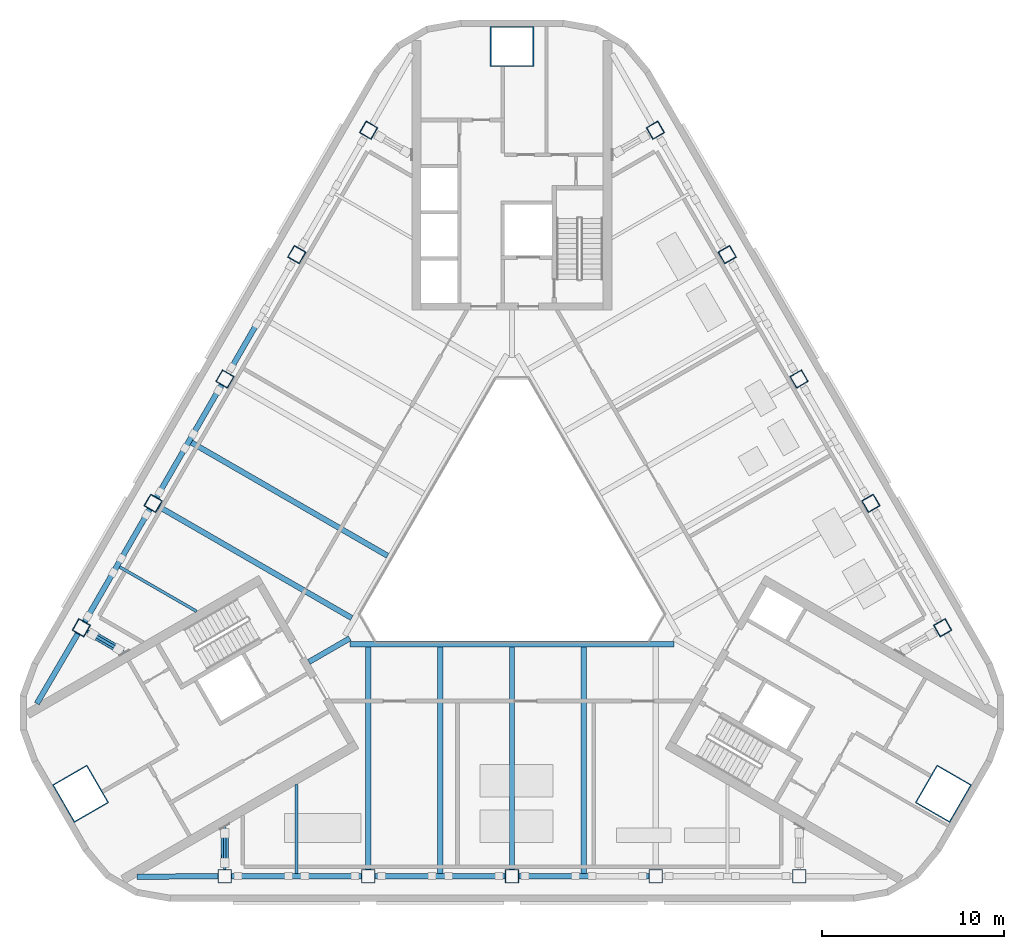
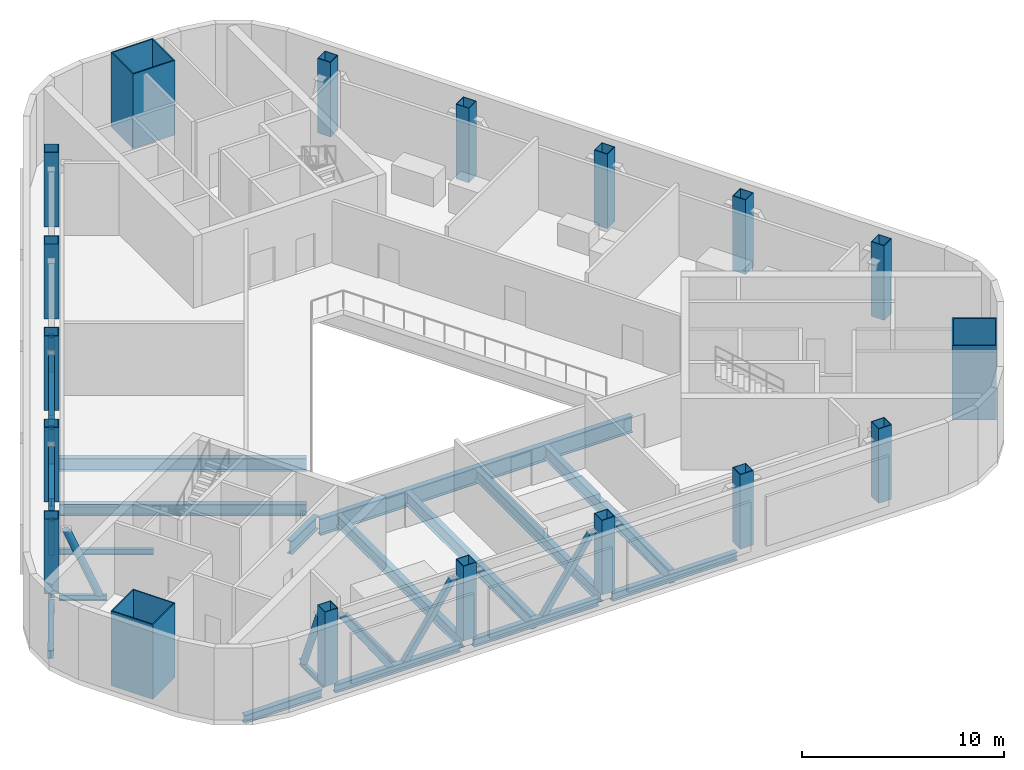
# One storey, part 1 of 14: 19 beams, 18 columns, 12 members.
"""IFC4 building model written with IfcOpenShell, lengths in metres."""

from ifc_helpers import new_model, si_unit, direction, frame, origin, origin_2d, place, context, subcontext, project, spatial, rectangle, hollow_rectangle, hollow_circle, i_section, extrude, boolean, halfspace, material, material_profile, profile_set, type_object, element, save


model = new_model("IFC4")

# Units and contexts
model_context = context("Model", 3, precision=1e-05, world=origin(), true_north=direction((0.0, 1.0)))
body_context = subcontext(model_context, "Body", "Model", "MODEL_VIEW")
ifc_project = project(units=[si_unit("LENGTHUNIT", "METRE"), si_unit("AREAUNIT", "SQUARE_METRE"), si_unit("VOLUMEUNIT", "CUBIC_METRE"), si_unit("PLANEANGLEUNIT", "RADIAN"), si_unit("MASSUNIT", "GRAM", prefix="KILO")], contexts=[model_context])

# Site, building, storey
site_placement = place(None, origin())
site = spatial("IfcSite", under=ifc_project, at=site_placement, CompositionType="ELEMENT")
building_placement = place(site_placement, origin())
building = spatial("IfcBuilding", under=site, at=building_placement, Name="Apuvela Tower Hotel", CompositionType="ELEMENT")
storey_placement = place(building_placement, frame((0.0, 0.0, 242.199951171875)))
storey = spatial("IfcBuildingStorey", under=building, at=storey_placement, Name="L59 Plant", CompositionType="ELEMENT", Elevation=242.199951171875)

# Columns
ifc_material_1 = material(Name="Steel S460", Category="steel")
ifc_material_profile_1 = material_profile(ifc_material_1, hollow_rectangle(XDim=2.39990234375, YDim=2.199951171875, WallThickness=0.06005859375, at=origin_2d()), Name="BOX 2400x2200x60")
ifc_material_2 = material(Name="Concrete C80/95", Category="concrete")
ifc_material_profile_2 = material_profile(ifc_material_2, rectangle(XDim=2.280029296875, YDim=2.080078125, at=origin_2d()), Name="Concrete C80/95 infill")
ifc_profile_set_1 = profile_set([ifc_material_profile_1, ifc_material_profile_2], Name="Steel S460")
column_type_1 = type_object("IfcColumnType", Name="STR-MC mega column BOX 2400x2200x60", PredefinedType="COLUMN", material=ifc_profile_set_1)
for number, where, z_axis, x_axis, name in (
    (1, (0.0, 27.39990234375, 0.0), (0.0, 0.0, 1.0), (1.0, 0.0, 0.0), "Mega column MC3 N"),
    (2, (-23.72900390625, -13.699951171875, 0.0), (0.0, 0.0, 1.0), (-0.5, 0.866025403784, 0.0), "Mega column MC3 SW"),
    (3, (23.72900390625, -13.699951171875, 0.0), (0.0, 0.0, 1.0), (0.5, 0.866025403784, 0.0), "Mega column MC3 SE"),
):
    element("IfcColumn", number, at=place(storey_placement, frame(where, z_axis=z_axis, x_axis=x_axis)), inside=storey, type_object=column_type_1, Name=name, PredefinedType="COLUMN", context=body_context, shape_type="SweptSolid", body=[
        extrude(hollow_rectangle(XDim=2.39990234375, YDim=2.199951171875, WallThickness=0.06005859375, at=origin_2d()), origin(), (0.0, 0.0, 1.0), 4.5),
    ])
ifc_material_profile_3 = material_profile(ifc_material_1, hollow_rectangle(XDim=0.75, YDim=0.75, WallThickness=0.034912109375, at=origin_2d()), Name="BOX 750x750x35")
ifc_material_profile_4 = material_profile(ifc_material_2, rectangle(XDim=0.679931640625, YDim=0.679931640625, at=origin_2d()), Name="Concrete C80/95 infill")
ifc_profile_set_2 = profile_set([ifc_material_profile_3, ifc_material_profile_4], Name="Steel S460")
column_type_2 = type_object("IfcColumnType", Name="STR-PC perimeter column BOX 750x750x35", PredefinedType="COLUMN", material=ifc_profile_set_2)
for number, where, z_axis, x_axis, name in (
    (4, (-15.800048828125, -18.22998046875, 0.0), (0.0, 0.0, 1.0), (-1.0, 0.0, 0.0), "Perimeter column C5 S1"),
    (5, (-7.89990234375, -18.22998046875, 0.0), (0.0, 0.0, 1.0), (-1.0, 0.0, 0.0), "Perimeter column C5 S2"),
    (6, (0.0, -18.22998046875, 0.0), (0.0, 0.0, 1.0), (-1.0, 0.0, 0.0), "Perimeter column C5 S3"),
    (7, (7.89990234375, -18.22998046875, 0.0), (0.0, 0.0, 1.0), (-1.0, 0.0, 0.0), "Perimeter column C5 S4"),
    (8, (15.800048828125, -18.22998046875, 0.0), (0.0, 0.0, 1.0), (-1.0, 0.0, 0.0), "Perimeter column C5 S5"),
    (9, (23.6875, -4.568115234375, 0.0), (0.0, 0.0, 1.0), (-0.5, 0.866025403784, 0.0), "Perimeter column C5 NE1"),
    (10, (19.737548828125, 2.2734375, 0.0), (0.0, 0.0, 1.0), (-0.5, 0.866025403784, 0.0), "Perimeter column C5 NE2"),
    (11, (15.78759765625, 9.114990234375, 0.0), (0.0, 0.0, 1.0), (-0.5, 0.866025403784, 0.0), "Perimeter column C5 NE3"),
    (12, (11.837646484375, 15.95654296875, 0.0), (0.0, 0.0, 1.0), (-0.5, 0.866025403784, 0.0), "Perimeter column C5 NE4"),
    (13, (7.8876953125, 22.798095703125, 0.0), (0.0, 0.0, 1.0), (-0.5, 0.866025403784, 0.0), "Perimeter column C5 NE5"),
    (14, (-7.8876953125, 22.798095703125, 0.0), (0.0, 0.0, 1.0), (0.5, 0.866025403784, 0.0), "Perimeter column C5 NW1"),
    (15, (-11.837646484375, 15.95654296875, 0.0), (0.0, 0.0, 1.0), (0.5, 0.866025403784, 0.0), "Perimeter column C5 NW2"),
    (16, (-15.78759765625, 9.114990234375, 0.0), (0.0, 0.0, 1.0), (0.5, 0.866025403784, 0.0), "Perimeter column C5 NW3"),
    (17, (-19.737548828125, 2.2734375, 0.0), (0.0, 0.0, 1.0), (0.5, 0.866025403784, 0.0), "Perimeter column C5 NW4"),
    (18, (-23.6875, -4.568115234375, 0.0), (0.0, 0.0, 1.0), (0.5, 0.866025403784, 0.0), "Perimeter column C5 NW5"),
):
    element("IfcColumn", number, at=place(storey_placement, frame(where, z_axis=z_axis, x_axis=x_axis)), inside=storey, type_object=column_type_2, Name=name, PredefinedType="COLUMN", context=body_context, shape_type="SweptSolid", body=[
        extrude(hollow_rectangle(XDim=0.75, YDim=0.75, WallThickness=0.034912109375, at=origin_2d()), origin(), (0.0, 0.0, 1.0), 4.5),
    ])

# Beams
ifc_material_3 = material(Name="Steel S355", Category="steel")
ifc_material_profile_5 = material_profile(ifc_material_3, i_section(OverallWidth=0.300048828125, OverallDepth=0.68994140625, WebThickness=0.014404296875, FlangeThickness=0.027099609375, at=origin_2d()), Name="HE 700 A")
ifc_profile_set_3 = profile_set([ifc_material_profile_5], Name="Steel S355")
beam_type_1 = type_object("IfcBeamType", Name="STR-B floor beam HE 700 A", PredefinedType="BEAM", material=ifc_profile_set_3)
for number, where, z_axis, x_axis, name in (
    (19, (-19.412841796875, 2.0859375, -0.64501953125), (0.866025418325, -0.499999974815, 0.0), (0.499999974815, 0.866025418325, 0.0), "Floor beam B6 NW7"),
    (20, (-7.89990234375, -17.85498046875, -0.64501953125), (0.0, 1.0, 0.0), (-1.0, 0.0, 0.0), "Floor beam B6 S3"),
    (21, (0.0, -17.85498046875, -0.64501953125), (0.0, 1.0, 0.0), (-1.0, 0.0, 0.0), "Floor beam B6 S5"),
):
    element("IfcBeam", number, at=place(storey_placement, frame(where, z_axis=z_axis, x_axis=x_axis)), inside=storey, type_object=beam_type_1, Name=name, PredefinedType="BEAM", context=body_context, shape_type="SweptSolid", body=[
        extrude(i_section(OverallWidth=0.300048828125, OverallDepth=0.68994140625, WebThickness=0.014404296875, FlangeThickness=0.027099609375, at=origin_2d()), origin(), (0.0, 0.0, 1.0), 12.23486328125),
    ])
ifc_material_profile_6 = material_profile(ifc_material_3, i_section(OverallWidth=0.300048828125, OverallDepth=0.7900390625, WebThickness=0.014892578125, FlangeThickness=0.028076171875, at=origin_2d()), Name="HE 800 A")
ifc_profile_set_4 = profile_set([ifc_material_profile_6], Name="Steel S355")
beam_type_2 = type_object("IfcBeamType", Name="STR-B floor beam HE 800 A", PredefinedType="BEAM", material=ifc_profile_set_4)
for number, where, z_axis, x_axis, name in (
    (22, (-17.6328125, 5.619140625, -0.695068359375), (0.866027987673, -0.499995524547, 0.0), (0.499995524547, 0.866027987673, 0.0), "Floor beam B5 NW6"),
    (23, (-3.949951171875, -18.080078125, -0.695068359375), (0.0, 1.0, 0.0), (-1.0, 0.0, 0.0), "Floor beam B5 S4"),
    (24, (3.949951171875, -18.080078125, -0.695068359375), (0.0, 1.0, 0.0), (-1.0, 0.0, 0.0), "Floor beam B5 S6"),
):
    element("IfcBeam", number, at=place(storey_placement, frame(where, z_axis=z_axis, x_axis=x_axis)), inside=storey, type_object=beam_type_2, Name=name, PredefinedType="BEAM", context=body_context, shape_type="SweptSolid", body=[
        extrude(i_section(OverallWidth=0.300048828125, OverallDepth=0.7900390625, WebThickness=0.014892578125, FlangeThickness=0.028076171875, at=origin_2d()), origin(), (0.0, 0.0, 1.0), 12.4599609375),
    ])
ifc_material_profile_7 = material_profile(ifc_material_3, i_section(OverallWidth=0.159912109375, OverallDepth=0.330078125, WebThickness=0.007568359375, FlangeThickness=0.011474609375, at=origin_2d()), Name="IPE 330")
ifc_profile_set_5 = profile_set([ifc_material_profile_7], Name="Steel S355")
beam_type_3 = type_object("IfcBeamType", Name="STR-B floor beam IPE 330", PredefinedType="BEAM", material=ifc_profile_set_5)
beam_1_placement = place(storey_placement, frame((-21.582763671875, -1.222412109375, -0.46484375), z_axis=(0.866015056278, -0.500017921979, 0.0), x_axis=(0.500017921979, 0.866015056278, 0.0)))
element("IfcBeam", 25, at=beam_1_placement, inside=storey, type_object=beam_type_3, Name="Floor beam B1 NW8", PredefinedType="BEAM", context=body_context, shape_type="SweptSolid", body=[
    extrude(i_section(OverallWidth=0.159912109375, OverallDepth=0.330078125, WebThickness=0.007568359375, FlangeThickness=0.011474609375, at=origin_2d()), origin(), (0.0, 0.0, 1.0), 4.887451171875),
])
for number, where, z_axis, x_axis, name in (
    (26, (-23.36279296875, -4.755615234375, -0.46484375), (0.865982457891, -0.500074377092, 0.0), (0.500074377092, 0.865982457891, 0.0), "Floor beam B1 NW9"),
    (27, (-15.800048828125, -17.85498046875, -0.46484375), (0.0, 1.0, 0.0), (-1.0, 0.0, 0.0), "Floor beam B1 S1"),
):
    element("IfcBeam", number, at=place(storey_placement, frame(where, z_axis=z_axis, x_axis=x_axis)), inside=storey, type_object=beam_type_3, Name=name, PredefinedType="BEAM", context=body_context, shape_type="SweptSolid", body=[
        extrude(i_section(OverallWidth=0.159912109375, OverallDepth=0.330078125, WebThickness=0.007568359375, FlangeThickness=0.011474609375, at=origin_2d()), origin(), (0.0, 0.0, 1.0), 2.382080078125),
    ])
beam_2_placement = place(storey_placement, frame((-11.85009765625, -18.080078125, -0.46484375), z_axis=(0.0, 1.0, 0.0), x_axis=(-1.0, 0.0, 0.0)))
element("IfcBeam", 28, at=beam_2_placement, inside=storey, type_object=beam_type_3, Name="Floor beam B1 S2", PredefinedType="BEAM", context=body_context, shape_type="SweptSolid", body=[
    extrude(i_section(OverallWidth=0.159912109375, OverallDepth=0.330078125, WebThickness=0.007568359375, FlangeThickness=0.011474609375, at=origin_2d()), origin(), (0.0, 0.0, 1.0), 4.8876953125),
])
ifc_material_profile_8 = material_profile(ifc_material_3, i_section(OverallWidth=0.300048828125, OverallDepth=1.0, WebThickness=0.01904296875, FlangeThickness=0.035888671875, at=origin_2d()), Name="HE 1000 B")
ifc_profile_set_6 = profile_set([ifc_material_profile_8], Name="Steel S355")
beam_type_4 = type_object("IfcBeamType", Name="STR-G atrium ring girder HE 1000 B", PredefinedType="BEAM", material=ifc_profile_set_6)
beam_3_placement = place(storey_placement, frame((-8.91455078125, -5.469970703125, -0.800048828125), z_axis=(1.0, 0.0, 0.0), x_axis=(0.0, 1.0, 0.0)))
element("IfcBeam", 29, at=beam_3_placement, inside=storey, type_object=beam_type_4, Name="Atrium ring girder G2 SW-SE", PredefinedType="BEAM", context=body_context, shape_type="SweptSolid", body=[
    extrude(i_section(OverallWidth=0.300048828125, OverallDepth=1.0, WebThickness=0.01904296875, FlangeThickness=0.035888671875, at=origin_2d()), origin(), (0.0, 0.0, 1.0), 17.8291015625),
])
ifc_material_profile_9 = material_profile(ifc_material_3, i_section(OverallWidth=0.300048828125, OverallDepth=0.800048828125, WebThickness=0.017578125, FlangeThickness=0.032958984375, at=origin_2d()), Name="HE 800 B")
ifc_profile_set_7 = profile_set([ifc_material_profile_9], Name="Steel S355")
beam_type_5 = type_object("IfcBeamType", Name="STR-GT core tie beam HE 800 B", PredefinedType="BEAM", material=ifc_profile_set_7)
beam_4_placement = place(storey_placement, frame((-11.171630859375, -6.449951171875, -0.699951171875), z_axis=(0.865997922154, 0.500047596559, 0.0), x_axis=(-0.500047596559, 0.865997922154, 0.0)))
element("IfcBeam", 30, at=beam_4_placement, inside=storey, type_object=beam_type_5, Name="Core tie beam GT1 SW", PredefinedType="BEAM", context=body_context, shape_type="SweptSolid", body=[
    extrude(i_section(OverallWidth=0.300048828125, OverallDepth=0.800048828125, WebThickness=0.017578125, FlangeThickness=0.032958984375, at=origin_2d()), origin(), (0.0, 0.0, 1.0), 2.599853515625),
])
ifc_material_profile_10 = material_profile(ifc_material_3, i_section(OverallWidth=0.300048828125, OverallDepth=0.489990234375, WebThickness=0.011962890625, FlangeThickness=0.02294921875, at=origin_2d()), Name="HE 500 A")
ifc_profile_set_8 = profile_set([ifc_material_profile_10], Name="Steel S355")
beam_type_6 = type_object("IfcBeamType", Name="STR-SB spandrel beam HE 500 A", PredefinedType="SPANDREL", material=ifc_profile_set_8)
beam_5_placement = place(storey_placement, frame((-15.425048828125, -18.22998046875, -0.544921875), z_axis=(1.0, 0.0, 0.0), x_axis=(0.0, 1.0, 0.0)))
element("IfcBeam", 31, at=beam_5_placement, inside=storey, type_object=beam_type_6, Name="Spandrel beam SB3 S1", PredefinedType="SPANDREL", context=body_context, shape_type="SweptSolid", body=[
    extrude(i_section(OverallWidth=0.300048828125, OverallDepth=0.489990234375, WebThickness=0.011962890625, FlangeThickness=0.02294921875, at=origin_2d()), origin(), (0.0, 0.0, 1.0), 7.150146484375),
])
for number, where, z_axis, x_axis, name in (
    (32, (-7.52490234375, -18.22998046875, -0.544921875), (1.0, 0.0, 0.0), (0.0, 1.0, 0.0), "Spandrel beam SB3 S2"),
    (33, (0.375, -18.22998046875, -0.544921875), (1.0, 0.0, 0.0), (0.0, 1.0, 0.0), "Spandrel beam SB3 S3"),
):
    element("IfcBeam", number, at=place(storey_placement, frame(where, z_axis=z_axis, x_axis=x_axis)), inside=storey, type_object=beam_type_6, Name=name, PredefinedType="SPANDREL", context=body_context, shape_type="SweptSolid", body=[
        extrude(i_section(OverallWidth=0.300048828125, OverallDepth=0.489990234375, WebThickness=0.011962890625, FlangeThickness=0.02294921875, at=origin_2d()), origin(), (0.0, 0.0, 1.0), 7.14990234375),
    ])
beam_6_placement = place(storey_placement, frame((-15.97509765625, 8.790283203125, -0.544921875), z_axis=(-0.499991424076, -0.86603035504, 0.0), x_axis=(0.86603035504, -0.499991424076, 0.0)))
element("IfcBeam", 34, at=beam_6_placement, inside=storey, type_object=beam_type_6, Name="Spandrel beam SB3 NW3", PredefinedType="SPANDREL", context=body_context, shape_type="SweptSolid", body=[
    extrude(i_section(OverallWidth=0.300048828125, OverallDepth=0.489990234375, WebThickness=0.011962890625, FlangeThickness=0.02294921875, at=origin_2d()), origin(), (0.0, 0.0, 1.0), 7.150146484375),
])
beam_7_placement = place(storey_placement, frame((-19.925048828125, 1.948486328125, -0.544921875), z_axis=(-0.500006209673, -0.866021818598, 0.0), x_axis=(0.866021818598, -0.500006209673, 0.0)))
element("IfcBeam", 35, at=beam_7_placement, inside=storey, type_object=beam_type_6, Name="Spandrel beam SB3 NW4", PredefinedType="SPANDREL", context=body_context, shape_type="SweptSolid", body=[
    extrude(i_section(OverallWidth=0.300048828125, OverallDepth=0.489990234375, WebThickness=0.011962890625, FlangeThickness=0.02294921875, at=origin_2d()), origin(), (0.0, 0.0, 1.0), 7.14990234375),
])
for number, where, z_axis, x_axis, name in (
    (36, (-16.175048828125, -18.232666015625, -0.544921875), (-0.999976567383, -0.006845778571, 0.0), (0.006845778571, -0.999976567383, 0.0), "Spandrel beam SB3 S1-SW"),
    (37, (-23.87744140625, -4.8916015625, -0.544921875), (-0.505933122104, -0.862572707636, 0.0), (0.862572707636, -0.505933122104, 0.0), "Spandrel beam SB3 NW5-SW"),
):
    element("IfcBeam", number, at=place(storey_placement, frame(where, z_axis=z_axis, x_axis=x_axis)), inside=storey, type_object=beam_type_6, Name=name, PredefinedType="SPANDREL", context=body_context, shape_type="SweptSolid", body=[
        extrude(i_section(OverallWidth=0.300048828125, OverallDepth=0.489990234375, WebThickness=0.011962890625, FlangeThickness=0.02294921875, at=origin_2d()), origin(), (0.0, 0.0, 1.0), 4.457763671875),
    ])

# Members
ifc_material_profile_11 = material_profile(ifc_material_3, hollow_rectangle(XDim=0.300048828125, YDim=0.300048828125, WallThickness=0.012451171875, at=origin_2d()), Name="SHS 300x300x12.5")
ifc_profile_set_9 = profile_set([ifc_material_profile_11], Name="Steel S355")
member_type_1 = type_object("IfcMemberType", Name="STR-T2 belt truss diagonal SHS 300x300x12.5", PredefinedType="BRACE", material=ifc_profile_set_9)
member_1_placement = place(storey_placement, frame((-12.300048828125, -18.22998046875, -0.300048828125), z_axis=(-0.565213266362, 0.0, 0.824944824536), x_axis=(0.824944824536, 0.0, 0.565213266362)))
solid_1 = boolean("DIFFERENCE", boolean("DIFFERENCE", extrude(hollow_rectangle(XDim=0.300048828125, YDim=0.300048828125, WallThickness=0.012451171875, at=origin_2d()), frame((0.0, 0.0, -0.222900390625)), (0.0, 0.0, 1.0), 5.35498046875), halfspace(frame((0.0, 0.0, 0.0244140625), z_axis=(0.565213266362, 0.0, 0.824944824536), x_axis=(0.824944824536, 0.0, -0.565213266362)), True)), halfspace(frame((0.0, 0.0, 4.88525390625), z_axis=(0.565213266362, 0.0, 0.824944824536), x_axis=(0.824944824536, 0.0, -0.565213266362)), False))
element("IfcMember", 38, at=member_1_placement, inside=storey, type_object=member_type_1, Name="Belt truss diagonal BR3 S1", PredefinedType="BRACE", context=body_context, shape_type="SweptSolid", body=[
    boolean("UNION", boolean("DIFFERENCE", boolean("DIFFERENCE", extrude(hollow_rectangle(XDim=0.300048828125, YDim=0.300048828125, WallThickness=0.012451171875, at=origin_2d()), origin(), (0.0, 0.0, 1.0), 4.909423828125), halfspace(frame((0.0, 0.0, 0.0244140625), z_axis=(0.565213266362, 0.0, 0.824944824536), x_axis=(0.824944824536, 0.0, -0.565213266362)), True)), halfspace(frame((0.0, 0.0, 4.88525390625), z_axis=(0.565213266362, 0.0, 0.824944824536), x_axis=(0.824944824536, 0.0, -0.565213266362)), False)), solid_1),
])
member_2_placement = place(storey_placement, frame((-11.39990234375, -18.22998046875, -0.300048828125), z_axis=(0.565213266362, 0.0, 0.824944824536), x_axis=(-0.824944824536, 0.0, 0.565213266362)))
solid_2 = boolean("DIFFERENCE", boolean("DIFFERENCE", extrude(hollow_rectangle(XDim=0.300048828125, YDim=0.300048828125, WallThickness=0.012451171875, at=origin_2d()), frame((0.0, 0.0, -0.222900390625)), (0.0, 0.0, 1.0), 5.35498046875), halfspace(frame((0.0, 0.0, 0.0244140625), z_axis=(0.565213266362, 0.0, 0.824944824536), x_axis=(0.824944824536, 0.0, -0.565213266362)), True)), halfspace(frame((0.0, 0.0, 4.88525390625), z_axis=(0.565213266362, 0.0, 0.824944824536), x_axis=(0.824944824536, 0.0, -0.565213266362)), False))
element("IfcMember", 39, at=member_2_placement, inside=storey, type_object=member_type_1, Name="Belt truss diagonal BR3 S1", PredefinedType="BRACE", context=body_context, shape_type="SweptSolid", body=[
    boolean("UNION", boolean("DIFFERENCE", boolean("DIFFERENCE", extrude(hollow_rectangle(XDim=0.300048828125, YDim=0.300048828125, WallThickness=0.012451171875, at=origin_2d()), origin(), (0.0, 0.0, 1.0), 4.909423828125), halfspace(frame((0.0, 0.0, 0.0244140625), z_axis=(0.565213266362, 0.0, 0.824944824536), x_axis=(0.824944824536, 0.0, -0.565213266362)), True)), halfspace(frame((0.0, 0.0, 4.88525390625), z_axis=(0.565213266362, 0.0, 0.824944824536), x_axis=(0.824944824536, 0.0, -0.565213266362)), False)), solid_2),
])
member_3_placement = place(storey_placement, frame((-4.39990234375, -18.22998046875, -0.300048828125), z_axis=(-0.565247106816, 0.0, 0.824921637633), x_axis=(0.824921637633, 0.0, 0.565247106816)))
solid_3 = boolean("DIFFERENCE", boolean("DIFFERENCE", extrude(hollow_rectangle(XDim=0.300048828125, YDim=0.300048828125, WallThickness=0.012451171875, at=origin_2d()), frame((0.0, 0.0, -0.222900390625)), (0.0, 0.0, 1.0), 5.355224609375), halfspace(frame((0.0, 0.0, 0.0244140625), z_axis=(0.565247106816, 0.0, 0.824921637633), x_axis=(0.824921637633, 0.0, -0.565247106816)), True)), halfspace(frame((0.0, 0.0, 4.885498046875), z_axis=(0.565247106816, 0.0, 0.824921637633), x_axis=(0.824921637633, 0.0, -0.565247106816)), False))
element("IfcMember", 40, at=member_3_placement, inside=storey, type_object=member_type_1, Name="Belt truss diagonal BR3 S2", PredefinedType="BRACE", context=body_context, shape_type="SweptSolid", body=[
    boolean("UNION", boolean("DIFFERENCE", boolean("DIFFERENCE", extrude(hollow_rectangle(XDim=0.300048828125, YDim=0.300048828125, WallThickness=0.012451171875, at=origin_2d()), origin(), (0.0, 0.0, 1.0), 4.90966796875), halfspace(frame((0.0, 0.0, 0.0244140625), z_axis=(0.565247106816, 0.0, 0.824921637633), x_axis=(0.824921637633, 0.0, -0.565247106816)), True)), halfspace(frame((0.0, 0.0, 4.885498046875), z_axis=(0.565247106816, 0.0, 0.824921637633), x_axis=(0.824921637633, 0.0, -0.565247106816)), False)), solid_3),
])
member_4_placement = place(storey_placement, frame((-3.5, -18.22998046875, -0.300048828125), z_axis=(0.565213266362, 0.0, 0.824944824536), x_axis=(-0.824944824536, 0.0, 0.565213266362)))
solid_4 = boolean("DIFFERENCE", boolean("DIFFERENCE", extrude(hollow_rectangle(XDim=0.300048828125, YDim=0.300048828125, WallThickness=0.012451171875, at=origin_2d()), frame((0.0, 0.0, -0.222900390625)), (0.0, 0.0, 1.0), 5.35498046875), halfspace(frame((0.0, 0.0, 0.0244140625), z_axis=(0.565213266362, 0.0, 0.824944824536), x_axis=(0.824944824536, 0.0, -0.565213266362)), True)), halfspace(frame((0.0, 0.0, 4.88525390625), z_axis=(0.565213266362, 0.0, 0.824944824536), x_axis=(0.824944824536, 0.0, -0.565213266362)), False))
element("IfcMember", 41, at=member_4_placement, inside=storey, type_object=member_type_1, Name="Belt truss diagonal BR3 S2", PredefinedType="BRACE", context=body_context, shape_type="SweptSolid", body=[
    boolean("UNION", boolean("DIFFERENCE", boolean("DIFFERENCE", extrude(hollow_rectangle(XDim=0.300048828125, YDim=0.300048828125, WallThickness=0.012451171875, at=origin_2d()), origin(), (0.0, 0.0, 1.0), 4.909423828125), halfspace(frame((0.0, 0.0, 0.0244140625), z_axis=(0.565213266362, 0.0, 0.824944824536), x_axis=(0.824944824536, 0.0, -0.565213266362)), True)), halfspace(frame((0.0, 0.0, 4.88525390625), z_axis=(0.565213266362, 0.0, 0.824944824536), x_axis=(0.824944824536, 0.0, -0.565213266362)), False)), solid_4),
])
member_5_placement = place(storey_placement, frame((3.5, -18.22998046875, -0.300048828125), z_axis=(-0.565213266362, 0.0, 0.824944824536), x_axis=(0.824944824536, 0.0, 0.565213266362)))
solid_5 = boolean("DIFFERENCE", boolean("DIFFERENCE", extrude(hollow_rectangle(XDim=0.300048828125, YDim=0.300048828125, WallThickness=0.012451171875, at=origin_2d()), frame((0.0, 0.0, -0.222900390625)), (0.0, 0.0, 1.0), 5.35498046875), halfspace(frame((0.0, 0.0, 0.0244140625), z_axis=(0.565213266362, 0.0, 0.824944824536), x_axis=(0.824944824536, 0.0, -0.565213266362)), True)), halfspace(frame((0.0, 0.0, 4.88525390625), z_axis=(0.565213266362, 0.0, 0.824944824536), x_axis=(0.824944824536, 0.0, -0.565213266362)), False))
element("IfcMember", 42, at=member_5_placement, inside=storey, type_object=member_type_1, Name="Belt truss diagonal BR3 S3", PredefinedType="BRACE", context=body_context, shape_type="SweptSolid", body=[
    boolean("UNION", boolean("DIFFERENCE", boolean("DIFFERENCE", extrude(hollow_rectangle(XDim=0.300048828125, YDim=0.300048828125, WallThickness=0.012451171875, at=origin_2d()), origin(), (0.0, 0.0, 1.0), 4.909423828125), halfspace(frame((0.0, 0.0, 0.0244140625), z_axis=(0.565213266362, 0.0, 0.824944824536), x_axis=(0.824944824536, 0.0, -0.565213266362)), True)), halfspace(frame((0.0, 0.0, 4.88525390625), z_axis=(0.565213266362, 0.0, 0.824944824536), x_axis=(0.824944824536, 0.0, -0.565213266362)), False)), solid_5),
])
member_6_placement = place(storey_placement, frame((-14.03759765625, 12.14599609375, -0.300048828125), z_axis=(-0.282608316756, -0.489479792685, 0.824949738987), x_axis=(0.412482561349, 0.714422989857, 0.565206093515)))
solid_6 = boolean("DIFFERENCE", boolean("DIFFERENCE", extrude(hollow_rectangle(XDim=0.300048828125, YDim=0.300048828125, WallThickness=0.012451171875, at=origin_2d()), frame((0.0, 0.0, -0.222900390625)), (0.0, 0.0, 1.0), 5.35498046875), halfspace(frame((0.0, 0.0, 0.0244140625), z_axis=(0.565206093515, 0.0, 0.824949738987), x_axis=(0.824949738987, 0.0, -0.565206093515)), True)), halfspace(frame((0.0, 0.0, 4.88525390625), z_axis=(0.565206093515, 0.0, 0.824949738987), x_axis=(0.824949738987, 0.0, -0.565206093515)), False))
element("IfcMember", 43, at=member_6_placement, inside=storey, type_object=member_type_1, Name="Belt truss diagonal BR3 NW2", PredefinedType="BRACE", context=body_context, shape_type="SweptSolid", body=[
    boolean("UNION", boolean("DIFFERENCE", boolean("DIFFERENCE", extrude(hollow_rectangle(XDim=0.300048828125, YDim=0.300048828125, WallThickness=0.012451171875, at=origin_2d()), origin(), (0.0, 0.0, 1.0), 4.909423828125), halfspace(frame((0.0, 0.0, 0.0244140625), z_axis=(0.565206093515, 0.0, 0.824949738987), x_axis=(0.824949738987, 0.0, -0.565206093515)), True)), halfspace(frame((0.0, 0.0, 4.88525390625), z_axis=(0.565206093515, 0.0, 0.824949738987), x_axis=(0.824949738987, 0.0, -0.565206093515)), False)), solid_6),
])
member_7_placement = place(storey_placement, frame((-17.53759765625, 6.083984375, -0.300048828125), z_axis=(0.282608316756, 0.489479792685, 0.824949738987), x_axis=(-0.412482561349, -0.714422989857, 0.565206093515)))
solid_7 = boolean("DIFFERENCE", boolean("DIFFERENCE", extrude(hollow_rectangle(XDim=0.300048828125, YDim=0.300048828125, WallThickness=0.012451171875, at=origin_2d()), frame((0.0, 0.0, -0.222900390625)), (0.0, 0.0, 1.0), 5.35498046875), halfspace(frame((0.0, 0.0, 0.0244140625), z_axis=(0.565206093515, 0.0, 0.824949738987), x_axis=(0.824949738987, 0.0, -0.565206093515)), True)), halfspace(frame((0.0, 0.0, 4.88525390625), z_axis=(0.565206093515, 0.0, 0.824949738987), x_axis=(0.824949738987, 0.0, -0.565206093515)), False))
element("IfcMember", 44, at=member_7_placement, inside=storey, type_object=member_type_1, Name="Belt truss diagonal BR3 NW3", PredefinedType="BRACE", context=body_context, shape_type="SweptSolid", body=[
    boolean("UNION", boolean("DIFFERENCE", boolean("DIFFERENCE", extrude(hollow_rectangle(XDim=0.300048828125, YDim=0.300048828125, WallThickness=0.012451171875, at=origin_2d()), origin(), (0.0, 0.0, 1.0), 4.909423828125), halfspace(frame((0.0, 0.0, 0.0244140625), z_axis=(0.565206093515, 0.0, 0.824949738987), x_axis=(0.824949738987, 0.0, -0.565206093515)), True)), halfspace(frame((0.0, 0.0, 4.88525390625), z_axis=(0.565206093515, 0.0, 0.824949738987), x_axis=(0.824949738987, 0.0, -0.565206093515)), False)), solid_7),
])
member_8_placement = place(storey_placement, frame((-17.987548828125, 5.304443359375, -0.300048828125), z_axis=(-0.282608316756, -0.489479792685, 0.824949738987), x_axis=(0.412482561349, 0.714422989857, 0.565206093515)))
solid_8 = boolean("DIFFERENCE", boolean("DIFFERENCE", extrude(hollow_rectangle(XDim=0.300048828125, YDim=0.300048828125, WallThickness=0.012451171875, at=origin_2d()), frame((0.0, 0.0, -0.222900390625)), (0.0, 0.0, 1.0), 5.35498046875), halfspace(frame((0.0, 0.0, 0.0244140625), z_axis=(0.565206093515, 0.0, 0.824949738987), x_axis=(0.824949738987, 0.0, -0.565206093515)), True)), halfspace(frame((0.0, 0.0, 4.88525390625), z_axis=(0.565206093515, 0.0, 0.824949738987), x_axis=(0.824949738987, 0.0, -0.565206093515)), False))
element("IfcMember", 45, at=member_8_placement, inside=storey, type_object=member_type_1, Name="Belt truss diagonal BR3 NW3", PredefinedType="BRACE", context=body_context, shape_type="SweptSolid", body=[
    boolean("UNION", boolean("DIFFERENCE", boolean("DIFFERENCE", extrude(hollow_rectangle(XDim=0.300048828125, YDim=0.300048828125, WallThickness=0.012451171875, at=origin_2d()), origin(), (0.0, 0.0, 1.0), 4.909423828125), halfspace(frame((0.0, 0.0, 0.0244140625), z_axis=(0.565206093515, 0.0, 0.824949738987), x_axis=(0.824949738987, 0.0, -0.565206093515)), True)), halfspace(frame((0.0, 0.0, 4.88525390625), z_axis=(0.565206093515, 0.0, 0.824949738987), x_axis=(0.824949738987, 0.0, -0.565206093515)), False)), solid_8),
])
member_9_placement = place(storey_placement, frame((-21.487548828125, -0.7578125, -0.300048828125), z_axis=(0.282601437631, 0.489517605497, 0.82492965843), x_axis=(-0.412441094398, -0.714423743313, 0.565235401087)))
solid_9 = boolean("DIFFERENCE", boolean("DIFFERENCE", extrude(hollow_rectangle(XDim=0.300048828125, YDim=0.300048828125, WallThickness=0.012451171875, at=origin_2d()), frame((0.0, 0.0, -0.222900390625)), (0.0, 0.0, 1.0), 5.355224609375), halfspace(frame((0.0, 0.0, 0.0244140625), z_axis=(0.565235401087, 0.0, 0.82492965843), x_axis=(0.82492965843, 0.0, -0.565235401087)), True)), halfspace(frame((0.0, 0.0, 4.885498046875), z_axis=(0.565235401087, 0.0, 0.82492965843), x_axis=(0.82492965843, 0.0, -0.565235401087)), False))
element("IfcMember", 46, at=member_9_placement, inside=storey, type_object=member_type_1, Name="Belt truss diagonal BR3 NW4", PredefinedType="BRACE", context=body_context, shape_type="SweptSolid", body=[
    boolean("UNION", boolean("DIFFERENCE", boolean("DIFFERENCE", extrude(hollow_rectangle(XDim=0.300048828125, YDim=0.300048828125, WallThickness=0.012451171875, at=origin_2d()), origin(), (0.0, 0.0, 1.0), 4.90966796875), halfspace(frame((0.0, 0.0, 0.0244140625), z_axis=(0.565235401087, 0.0, 0.82492965843), x_axis=(0.82492965843, 0.0, -0.565235401087)), True)), halfspace(frame((0.0, 0.0, 4.885498046875), z_axis=(0.565235401087, 0.0, 0.82492965843), x_axis=(0.82492965843, 0.0, -0.565235401087)), False)), solid_9),
])
member_10_placement = place(storey_placement, frame((-21.9375, -1.537109375, -0.300048828125), z_axis=(-0.282654072805, -0.489472913198, 0.824938144574), x_axis=(0.412531195376, 0.714381519368, 0.565223015833)))
solid_10 = boolean("DIFFERENCE", boolean("DIFFERENCE", extrude(hollow_rectangle(XDim=0.300048828125, YDim=0.300048828125, WallThickness=0.012451171875, at=origin_2d()), frame((0.0, 0.0, -0.222900390625)), (0.0, 0.0, 1.0), 5.355224609375), halfspace(frame((0.0, 0.0, 0.0244140625), z_axis=(0.565223015833, 0.0, 0.824938144574), x_axis=(0.824938144574, 0.0, -0.565223015833)), True)), halfspace(frame((0.0, 0.0, 4.88525390625), z_axis=(0.565223015833, 0.0, 0.824938144574), x_axis=(0.824938144574, 0.0, -0.565223015833)), False))
element("IfcMember", 47, at=member_10_placement, inside=storey, type_object=member_type_1, Name="Belt truss diagonal BR3 NW4", PredefinedType="BRACE", context=body_context, shape_type="SweptSolid", body=[
    boolean("UNION", boolean("DIFFERENCE", boolean("DIFFERENCE", extrude(hollow_rectangle(XDim=0.300048828125, YDim=0.300048828125, WallThickness=0.012451171875, at=origin_2d()), origin(), (0.0, 0.0, 1.0), 4.909423828125), halfspace(frame((0.0, 0.0, 0.0244140625), z_axis=(0.565223015833, 0.0, 0.824938144574), x_axis=(0.824938144574, 0.0, -0.565223015833)), True)), halfspace(frame((0.0, 0.0, 4.88525390625), z_axis=(0.565223015833, 0.0, 0.824938144574), x_axis=(0.824938144574, 0.0, -0.565223015833)), False)), solid_10),
])
ifc_material_profile_12 = material_profile(ifc_material_3, hollow_circle(Radius=0.203125, WallThickness=0.01611328125, at=origin_2d()), Name="CHS 406.4x16")
ifc_profile_set_10 = profile_set([ifc_material_profile_12], Name="Steel S355")
member_type_2 = type_object("IfcMemberType", Name="STR-T2 outrigger truss diagonal CHS 406.4x16", PredefinedType="BRACE", material=ifc_profile_set_10)
member_11_placement = place(storey_placement, frame((-21.64306640625, -5.74853515625, -0.300048828125), z_axis=(-0.33136220297, 0.191291294149, 0.923908399802), x_axis=(0.800149854011, -0.461916596749, 0.382613733123)))
solid_11 = boolean("DIFFERENCE", boolean("DIFFERENCE", extrude(hollow_circle(Radius=0.203125, WallThickness=0.01611328125, at=origin_2d()), frame((0.0, 0.0, -0.2041015625)), (0.0, 0.0, 1.0), 4.683837890625), halfspace(frame((0.0, 0.0, 0.021728515625), z_axis=(0.382613733123, 0.0, 0.923908399802), x_axis=(0.923908399802, 0.0, -0.382613733123)), True)), halfspace(frame((0.0, 0.0, 4.253662109375), z_axis=(0.382613733123, 0.0, 0.923908399802), x_axis=(0.923908399802, 0.0, -0.382613733123)), False))
element("IfcMember", 48, at=member_11_placement, inside=storey, type_object=member_type_2, Name="Outrigger diagonal OD3 NW5", PredefinedType="BRACE", context=body_context, shape_type="SweptSolid", body=[
    boolean("UNION", boolean("DIFFERENCE", boolean("DIFFERENCE", extrude(hollow_circle(Radius=0.203125, WallThickness=0.01611328125, at=origin_2d()), origin(), (0.0, 0.0, 1.0), 4.275634765625), halfspace(frame((0.0, 0.0, 0.021728515625), z_axis=(0.382613733123, 0.0, 0.923908399802), x_axis=(0.923908399802, 0.0, -0.382613733123)), True)), halfspace(frame((0.0, 0.0, 4.253662109375), z_axis=(0.382613733123, 0.0, 0.923908399802), x_axis=(0.923908399802, 0.0, -0.382613733123)), False)), solid_11),
])
member_12_placement = place(storey_placement, frame((-15.800048828125, -15.869140625, -0.300048828125), z_axis=(0.0, -0.382587147216, 0.923919409248), x_axis=(0.0, 0.923919409248, 0.382587147216)))
solid_12 = boolean("DIFFERENCE", boolean("DIFFERENCE", extrude(hollow_circle(Radius=0.203125, WallThickness=0.01611328125, at=origin_2d()), frame((0.0, 0.0, -0.2041015625)), (0.0, 0.0, 1.0), 4.683837890625), halfspace(frame((0.0, 0.0, 0.021728515625), z_axis=(0.382587147216, 0.0, 0.923919409248), x_axis=(0.923919409248, 0.0, -0.382587147216)), True)), halfspace(frame((0.0, 0.0, 4.253662109375), z_axis=(0.382587147216, 0.0, 0.923919409248), x_axis=(0.923919409248, 0.0, -0.382587147216)), False))
element("IfcMember", 49, at=member_12_placement, inside=storey, type_object=member_type_2, Name="Outrigger diagonal OD3 S1", PredefinedType="BRACE", context=body_context, shape_type="SweptSolid", body=[
    boolean("UNION", boolean("DIFFERENCE", boolean("DIFFERENCE", extrude(hollow_circle(Radius=0.203125, WallThickness=0.01611328125, at=origin_2d()), origin(), (0.0, 0.0, 1.0), 4.275390625), halfspace(frame((0.0, 0.0, 0.021728515625), z_axis=(0.382587147216, 0.0, 0.923919409248), x_axis=(0.923919409248, 0.0, -0.382587147216)), True)), halfspace(frame((0.0, 0.0, 4.253662109375), z_axis=(0.382587147216, 0.0, 0.923919409248), x_axis=(0.923919409248, 0.0, -0.382587147216)), False)), solid_12),
])

save(model, "model.ifc")
